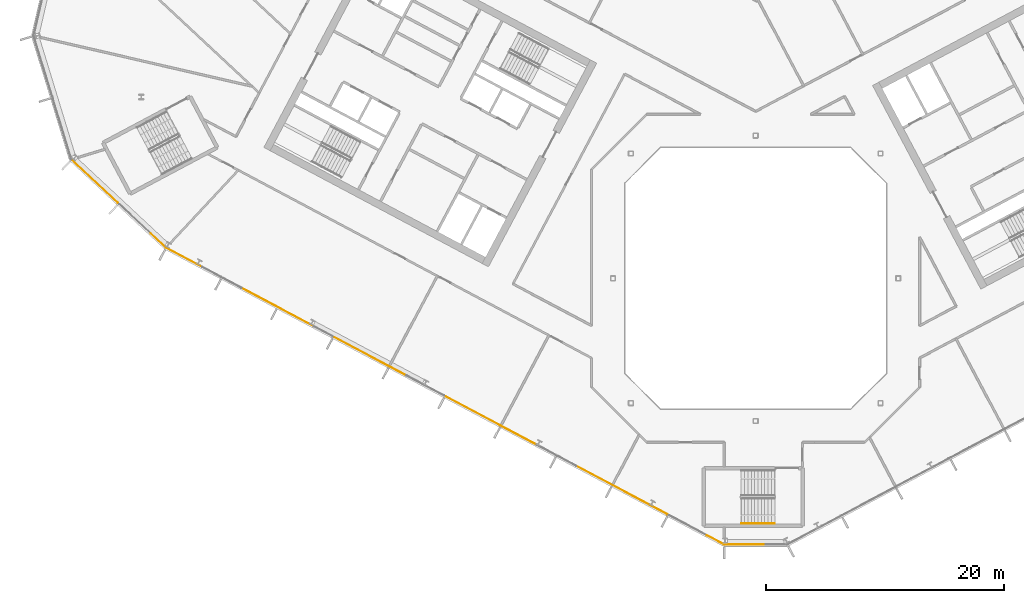
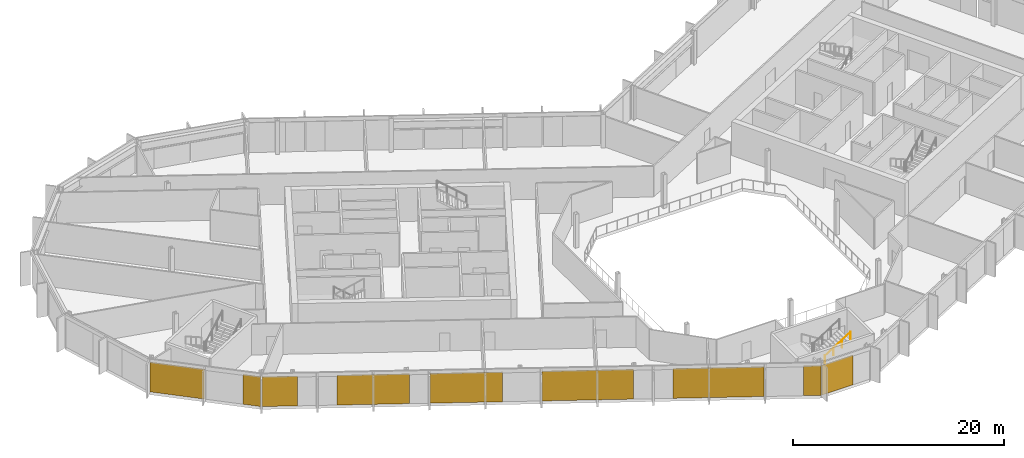
# One storey, part 19 of 27: 9 coverings, 1 railing, 3 elements without a shape of their own.
"""IFC4 building model written with IfcOpenShell, lengths in metres."""

from ifc_helpers import new_model, si_unit, direction, frame, origin, origin_2d, place, context, subcontext, project, spatial, polyline, rectangle, outline, extrude, material, layer, layer_set, type_object, element, aggregate, save


model = new_model("IFC4")

# Units and contexts
model_context = context("Model", 3, precision=1e-05, world=origin(), true_north=direction((0.0, 1.0)))
body_context = subcontext(model_context, "Body", "Model", "MODEL_VIEW")
ifc_project = project(units=[si_unit("LENGTHUNIT", "METRE"), si_unit("AREAUNIT", "SQUARE_METRE"), si_unit("VOLUMEUNIT", "CUBIC_METRE"), si_unit("PLANEANGLEUNIT", "RADIAN"), si_unit("MASSUNIT", "GRAM", prefix="KILO")], contexts=[model_context])

# Site, building, storey
site_placement = place(None, origin())
site = spatial("IfcSite", under=ifc_project, at=site_placement, CompositionType="ELEMENT")
building_placement = place(site_placement, origin())
building = spatial("IfcBuilding", under=site, at=building_placement, Name="Cormorant Relay Tower", CompositionType="ELEMENT")
storey_placement = place(building_placement, frame((0.0, 0.0, 201.300048828125)))
storey = spatial("IfcBuildingStorey", under=building, at=storey_placement, Name="L43", CompositionType="ELEMENT", Elevation=201.300048828125)

# Curtain wall, covering
ifc_material_1 = material(Name="Aluminium 6063-T6 anodised bronze", Category="aluminium")
ifc_layer_1 = layer(ifc_material_1, 0.199951171875)
ifc_layer_set_1 = layer_set([ifc_layer_1], Name="CW1 unitised bronze curtain wall with vertical fins")
curtain_wall_type = type_object("IfcCurtainWallType", Name="CW1 unitised bronze curtain wall with vertical fins", PredefinedType="NOTDEFINED", material=ifc_layer_set_1)
curtain_wall_1_placement = place(storey_placement, origin())
curtain_wall_1 = element("IfcCurtainWall", 1, at=curtain_wall_1_placement, inside=storey, type_object=curtain_wall_type, Name="CW1 curtain wall 1", PredefinedType="NOTDEFINED")
ifc_material_2 = material(Name="Pale bronze anodised aluminium insulated panel", Category="aluminium")
ifc_layer_2 = layer(ifc_material_2, 0.0400390625)
ifc_layer_set_2 = layer_set([ifc_layer_2], Name="CW1 pale bronze insulated panel 40")
covering_type = type_object("IfcCoveringType", Name="CW1 pale bronze insulated panel 40", PredefinedType="CLADDING", material=ifc_layer_set_2)
covering_1_placement = place(storey_placement, frame((-0.862548828125, -22.3955078125, 0.0), z_axis=(0.0, 0.0, 1.0), x_axis=(1.0, 0.0, 0.0)))
covering_1 = element("IfcCovering", 2, at=covering_1_placement, type_object=covering_type, Name="CW1 panel S00", PredefinedType="CLADDING", context=body_context, shape_type="SweptSolid", body=[
    extrude(rectangle(XDim=3.422607421875, YDim=0.0400390625, at=origin_2d()), origin(), (0.0, 0.0, 1.0), 3.449951171875),
])
aggregate(curtain_wall_1, [covering_1])

# Curtain wall, coverings
curtain_wall_2_placement = place(storey_placement, origin())
curtain_wall_2 = element("IfcCurtainWall", 3, at=curtain_wall_2_placement, inside=storey, type_object=curtain_wall_type, Name="CW1 curtain wall 15", PredefinedType="NOTDEFINED")
covering_2_placement = place(storey_placement, frame((-55.56787109375, 8.1298828125, 0.0), z_axis=(0.0, 0.0, 1.0), x_axis=(0.731353701619, -0.681998360062, 0.0)))
covering_2 = element("IfcCovering", 4, at=covering_2_placement, type_object=covering_type, Name="CW1 panel S00", PredefinedType="CLADDING", context=body_context, shape_type="SweptSolid", body=[
    extrude(rectangle(XDim=5.28515625, YDim=0.0400390625, at=origin_2d()), origin(), (0.0, 0.0, 1.0), 3.449951171875),
])
covering_3_placement = place(storey_placement, frame((-50.248779296875, 3.169921875, 0.0), z_axis=(0.0, 0.0, 1.0), x_axis=(0.731353701619, -0.681998360062, 0.0)))
covering_3 = element("IfcCovering", 5, at=covering_3_placement, type_object=covering_type, Name="CW1 panel S02", PredefinedType="CLADDING", context=body_context, shape_type="SweptSolid", body=[
    extrude(rectangle(XDim=1.76025390625, YDim=0.0400390625, at=origin_2d()), origin(), (0.0, 0.0, 1.0), 3.449951171875),
])
aggregate(curtain_wall_2, [covering_2, covering_3])

curtain_wall_3_placement = place(storey_placement, origin())
curtain_wall_3 = element("IfcCurtainWall", 6, at=curtain_wall_3_placement, inside=storey, type_object=curtain_wall_type, Name="CW1 curtain wall 16", PredefinedType="NOTDEFINED")
covering_4_placement = place(storey_placement, frame((-48.048583984375, 1.7412109375, 0.0), z_axis=(0.0, 0.0, 1.0), x_axis=(0.882947592859, -0.469471562786, 0.0)))
covering_4 = element("IfcCovering", 7, at=covering_4_placement, type_object=covering_type, Name="CW1 panel S00", PredefinedType="CLADDING", context=body_context, shape_type="SweptSolid", body=[
    extrude(rectangle(XDim=3.36669921875, YDim=0.0400390625, at=origin_2d()), origin(), (0.0, 0.0, 1.0), 3.449951171875),
])
covering_5_placement = place(storey_placement, frame((-40.21240234375, -2.42529296875, 0.0), z_axis=(0.0, 0.0, 1.0), x_axis=(0.882947592859, -0.469471562786, 0.0)))
covering_5 = element("IfcCovering", 8, at=covering_5_placement, type_object=covering_type, Name="CW1 panel S03", PredefinedType="CLADDING", context=body_context, shape_type="SweptSolid", body=[
    extrude(rectangle(XDim=6.88330078125, YDim=0.0400390625, at=origin_2d()), origin(), (0.0, 0.0, 1.0), 3.449951171875),
])
covering_6_placement = place(storey_placement, frame((-32.4130859375, -6.572265625, 0.0), z_axis=(0.0, 0.0, 1.0), x_axis=(0.882947592859, -0.469471562786, 0.0)))
covering_6 = element("IfcCovering", 9, at=covering_6_placement, type_object=covering_type, Name="CW1 panel S05", PredefinedType="CLADDING", context=body_context, shape_type="SweptSolid", body=[
    extrude(rectangle(XDim=6.88330078125, YDim=0.0400390625, at=origin_2d()), origin(), (0.0, 0.0, 1.0), 3.449951171875),
])
covering_7_placement = place(storey_placement, frame((-22.22998046875, -11.98681640625, 0.0), z_axis=(0.0, 0.0, 1.0), x_axis=(0.882947592859, -0.469471562786, 0.0)))
covering_7 = element("IfcCovering", 10, at=covering_7_placement, type_object=covering_type, Name="CW1 panel S07", PredefinedType="CLADDING", context=body_context, shape_type="SweptSolid", body=[
    extrude(rectangle(XDim=8.68310546875, YDim=0.0400390625, at=origin_2d()), origin(), (0.0, 0.0, 1.0), 3.449951171875),
])
covering_8_placement = place(storey_placement, frame((-11.252197265625, -17.82373046875, 0.0), z_axis=(0.0, 0.0, 1.0), x_axis=(0.882947592859, -0.469471562786, 0.0)))
covering_8 = element("IfcCovering", 11, at=covering_8_placement, type_object=covering_type, Name="CW1 panel S10", PredefinedType="CLADDING", context=body_context, shape_type="SweptSolid", body=[
    extrude(rectangle(XDim=8.68310546875, YDim=0.0400390625, at=origin_2d()), origin(), (0.0, 0.0, 1.0), 3.449951171875),
])
covering_9_placement = place(storey_placement, frame((-3.383056640625, -22.0078125, 0.0), z_axis=(0.0, 0.0, 1.0), x_axis=(0.882947592859, -0.469471562786, 0.0)))
covering_9 = element("IfcCovering", 12, at=covering_9_placement, type_object=covering_type, Name="CW1 panel S12", PredefinedType="CLADDING", context=body_context, shape_type="SweptSolid", body=[
    extrude(rectangle(XDim=1.6416015625, YDim=0.0400390625, at=origin_2d()), origin(), (0.0, 0.0, 1.0), 3.449951171875),
])
aggregate(curtain_wall_3, [covering_4, covering_5, covering_6, covering_7, covering_8, covering_9])

# Railing
ifc_material_3 = material(Name="Steel ASTM A572 Grade 50 (Fy 345 MPa)", Category="steel")
railing_type = type_object("IfcRailingType", Name="Stair handrail 900", PredefinedType="HANDRAIL", material=ifc_material_3)
railing_placement = place(storey_placement, frame((-1.199951171875, -20.625, 2.127197265625)))
element("IfcRailing", 13, at=railing_placement, inside=storey, type_object=railing_type, Name="L43 RK1 stair handrail 2", PredefinedType="HANDRAIL", context=body_context, shape_type="SweptSolid", body=[
    extrude(outline(polyline([(0.022216796875, 0.00927734375), (0.00927734375, 0.022216796875), (-0.00927734375, 0.022216796875), (-0.022216796875, 0.00927734375), (-0.022216796875, -0.00927734375), (-0.00927734375, -0.022216796875), (0.00927734375, -0.022216796875), (0.022216796875, -0.00927734375), (0.022216796875, 0.00927734375)])), frame((0.0, 0.0, 0.8759765625), z_axis=(0.844908973607, 0.0, 0.534910110503), x_axis=(0.0, 1.0, 0.0)), (0.0, 0.0, 1.0), 3.31396484375),
    extrude(outline(polyline([(0.019287109375, 0.008056640625), (0.008056640625, 0.019287109375), (-0.008056640625, 0.019287109375), (-0.019287109375, 0.008056640625), (-0.019287109375, -0.008056640625), (-0.008056640625, -0.019287109375), (0.008056640625, -0.019287109375), (0.019287109375, -0.008056640625), (0.019287109375, 0.008056640625)])), origin(), (0.0, 0.0, 1.0), 0.851806640625),
    extrude(outline(polyline([(0.019287109375, 0.008056640625), (0.008056640625, 0.019287109375), (-0.008056640625, 0.019287109375), (-0.019287109375, 0.008056640625), (-0.019287109375, -0.008056640625), (-0.008056640625, -0.019287109375), (0.008056640625, -0.019287109375), (0.019287109375, -0.008056640625), (0.019287109375, 0.008056640625)])), frame((0.933349609375, 0.0, 0.5908203125)), (0.0, 0.0, 1.0), 0.851806640625),
    extrude(outline(polyline([(0.019287109375, 0.008056640625), (0.008056640625, 0.019287109375), (-0.008056640625, 0.019287109375), (-0.019287109375, 0.008056640625), (-0.019287109375, -0.008056640625), (-0.008056640625, -0.019287109375), (0.008056640625, -0.019287109375), (0.019287109375, -0.008056640625), (0.019287109375, 0.008056640625)])), frame((1.86669921875, 0.0, 1.181884765625)), (0.0, 0.0, 1.0), 0.851806640625),
    extrude(outline(polyline([(0.019287109375, 0.008056640625), (0.008056640625, 0.019287109375), (-0.008056640625, 0.019287109375), (-0.019287109375, 0.008056640625), (-0.019287109375, -0.008056640625), (-0.008056640625, -0.019287109375), (0.008056640625, -0.019287109375), (0.019287109375, -0.008056640625), (0.019287109375, 0.008056640625)])), frame((2.800048828125, 0.0, 1.772705078125)), (0.0, 0.0, 1.0), 0.851806640625),
])

save(model, "model.ifc")
